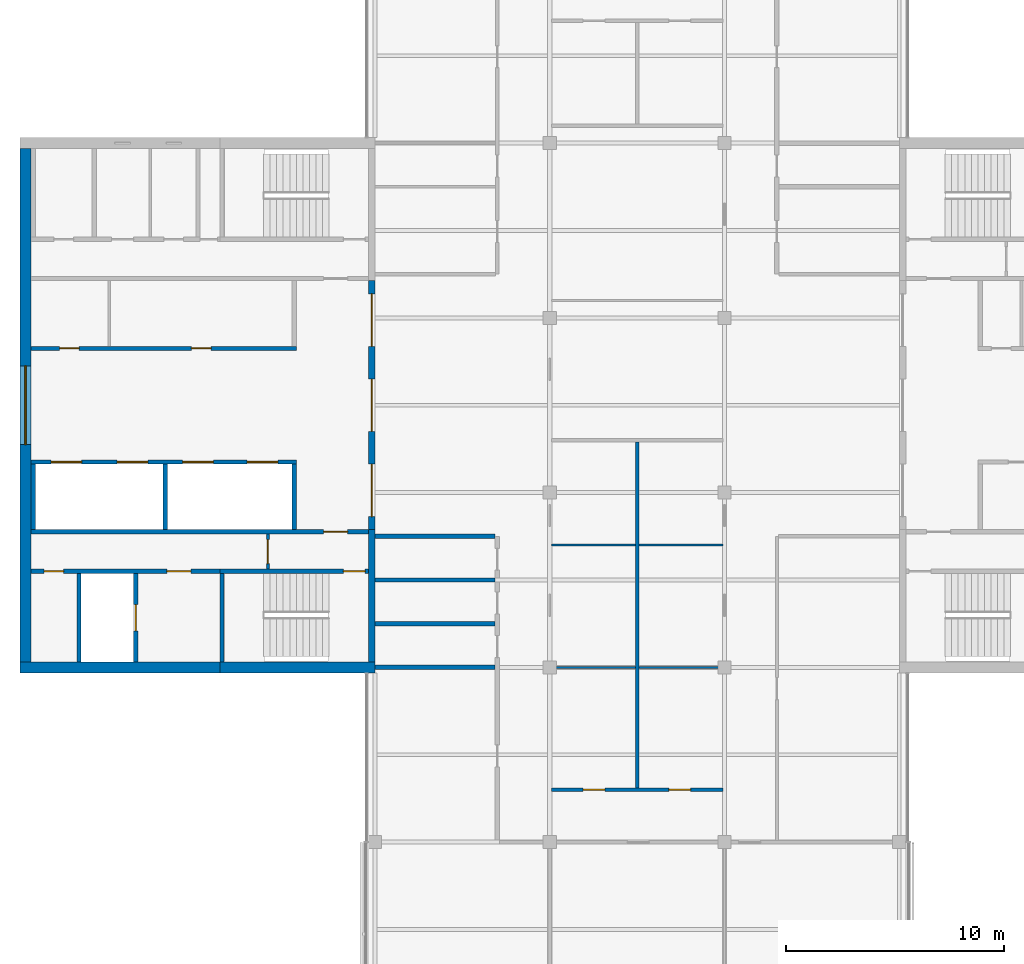
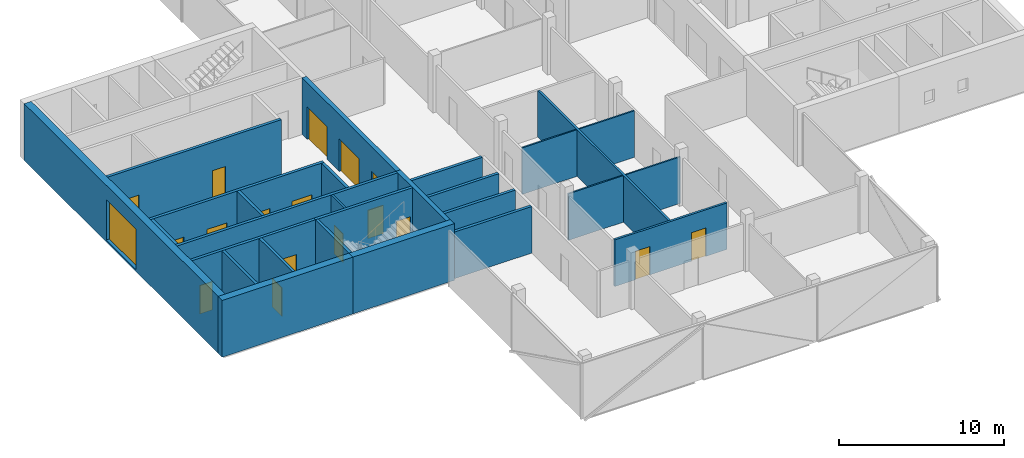
# One storey, part 9 of 16: 27 walls, 17 doors, 1 window, 18 openings.
"""IFC4 building model written with IfcOpenShell, lengths in metres."""

from ifc_helpers import new_model, si_unit, direction, frame, frame_2d, origin, place, context, subcontext, project, spatial, rectangle, extrude, material, layer, layer_set, constituent, constituent_set, type_object, element, fill, save


model = new_model("IFC4")

# Units and contexts
model_context = context("Model", 3, precision=1e-05, world=origin(), true_north=direction((0.0, 1.0)))
body_context = subcontext(model_context, "Body", "Model", "MODEL_VIEW")
ifc_project = project(units=[si_unit("LENGTHUNIT", "METRE"), si_unit("AREAUNIT", "SQUARE_METRE"), si_unit("VOLUMEUNIT", "CUBIC_METRE"), si_unit("PLANEANGLEUNIT", "RADIAN"), si_unit("MASSUNIT", "GRAM", prefix="KILO")], contexts=[model_context])

# Site, building, storey
site_placement = place(None, origin())
site = spatial("IfcSite", under=ifc_project, at=site_placement, CompositionType="ELEMENT")
building_placement = place(site_placement, origin())
building = spatial("IfcBuilding", under=site, at=building_placement, Name="Crosswind Convention Tower", CompositionType="ELEMENT")
storey_placement = place(building_placement, frame((0.0, 0.0, 336.5)))
storey = spatial("IfcBuildingStorey", under=building, at=storey_placement, Name="L73", CompositionType="ELEMENT", Elevation=336.5)

# Walls
ifc_material_1 = material(Name="Concrete blockwork", Category="masonry")
ifc_layer_1 = layer(ifc_material_1, 0.199951171875)
ifc_layer_set_1 = layer_set([ifc_layer_1], Name="COMPARTMENT WALL 200 BLOCKWORK")
wall_type_1 = type_object("IfcWallType", Name="COMPARTMENT WALL 200 BLOCKWORK", PredefinedType="SOLIDWALL", material=ifc_layer_set_1)
for number, where, z_axis, x_axis, name in (
    (1, (113.0, 88.0, 0.0), (0.0, 0.0, 1.0), (1.0, 0.0, 0.0), "Compartment wall WT42"),
    (2, (113.0, 90.0, 0.0), (0.0, 0.0, 1.0), (1.0, 0.0, 0.0), "Compartment wall WT42"),
    (3, (113.0, 92.0, 0.0), (0.0, 0.0, 1.0), (1.0, 0.0, 0.0), "Compartment wall WT42"),
    (4, (113.0, 94.0, 0.0), (0.0, 0.0, 1.0), (1.0, 0.0, 0.0), "Compartment wall WT42"),
):
    element("IfcWall", number, at=place(storey_placement, frame(where, z_axis=z_axis, x_axis=x_axis)), inside=storey, type_object=wall_type_1, Name=name, PredefinedType="SOLIDWALL", context=body_context, shape_type="SweptSolid", body=[
        extrude(rectangle(XDim=5.5, YDim=0.199951171875, at=frame_2d((2.75, 0.0))), origin(), (0.0, 0.0, 1.0), 3.44287109375),
    ])

# Wall, openings, doors
ifc_material_2 = material(Name="Concrete C50/60", Category="concrete")
ifc_layer_2 = layer(ifc_material_2, 0.300048828125)
ifc_layer_set_2 = layer_set([ifc_layer_2], Name="Concrete C50/60")
wall_type_2 = type_object("IfcWallType", Name="Concrete inner core wall 300", PredefinedType="SHEAR", material=ifc_layer_set_2)
wall_1_placement = place(storey_placement, frame((112.85009765625, 105.699951171875, 0.0), z_axis=(0.0, 0.0, 1.0), x_axis=(0.0, -1.0, 0.0)))
wall_1 = element("IfcWall", 5, at=wall_1_placement, inside=storey, type_object=wall_type_2, Name="Wall SCR W L73", PredefinedType="SHEAR", context=body_context, shape_type="SweptSolid", body=[
    extrude(rectangle(XDim=11.39990234375, YDim=0.300048828125, at=frame_2d((5.699951171875, 0.0))), origin(), (0.0, 0.0, 1.0), 4.199951171875),
])
opening_1_placement = place(wall_1_placement, frame((0.60009765625, 0.0, 0.0)))
opening_1 = element("IfcOpeningElement", 6, at=opening_1_placement, cuts=wall_1, Name="Opening D100", PredefinedType="OPENING", context=body_context, shape_type="SweptSolid", body=[
    extrude(rectangle(XDim=2.39990234375, YDim=2.39990234375, at=frame_2d((1.199951171875, 1.199951171875))), frame((0.0, 0.159912109375, 0.0), z_axis=(0.0, -1.0, 0.0), x_axis=(1.0, 0.0, 0.0)), (0.0, 0.0, 1.0), 0.320068359375),
])
opening_2_placement = place(wall_1_placement, frame((4.5, 0.0, 0.0)))
opening_2 = element("IfcOpeningElement", 7, at=opening_2_placement, cuts=wall_1, Name="Opening D100", PredefinedType="OPENING", context=body_context, shape_type="SweptSolid", body=[
    extrude(rectangle(XDim=2.39990234375, YDim=2.39990234375, at=frame_2d((1.199951171875, 1.199951171875))), frame((0.0, 0.159912109375, 0.0), z_axis=(0.0, -1.0, 0.0), x_axis=(1.0, 0.0, 0.0)), (0.0, 0.0, 1.0), 0.320068359375),
])
opening_3_placement = place(wall_1_placement, frame((8.39990234375, 0.0, 0.0)))
opening_3 = element("IfcOpeningElement", 8, at=opening_3_placement, cuts=wall_1, Name="Opening D100", PredefinedType="OPENING", context=body_context, shape_type="SweptSolid", body=[
    extrude(rectangle(XDim=2.39990234375, YDim=2.39990234375, at=frame_2d((1.199951171875, 1.199951171875))), frame((0.0, 0.159912109375, 0.0), z_axis=(0.0, -1.0, 0.0), x_axis=(1.0, 0.0, 0.0)), (0.0, 0.0, 1.0), 0.320068359375),
])
ifc_material_3 = material(Name="Steel fire door with glazed vision panels", Category="steel")
door_type_1 = type_object("IfcDoorType", Name="Fire-rated double door 2400x2400", OperationType="DOUBLE_DOOR_SINGLE_SWING", PredefinedType="DOOR", material=ifc_material_3)
door_1_placement = place(opening_1_placement, origin())
door_1 = element("IfcDoor", 9, at=door_1_placement, inside=storey, type_object=door_type_1, Name="Lobby door 1 L73", ObjectType="D100", OperationType="DOUBLE_DOOR_SINGLE_SWING", OverallHeight=2.39990234375, OverallWidth=2.39990234375, PredefinedType="DOOR", context=body_context, shape_type="SweptSolid", body=[
    extrude(rectangle(XDim=2.39990234375, YDim=2.39990234375, at=frame_2d((1.199951171875, 1.199951171875))), frame((0.0, 0.02490234375, 0.0), z_axis=(0.0, -1.0, 0.0), x_axis=(1.0, 0.0, 0.0)), (0.0, 0.0, 1.0), 0.050048828125),
])
fill(opening_1, door_1)
door_2_placement = place(opening_2_placement, origin())
door_2 = element("IfcDoor", 10, at=door_2_placement, inside=storey, type_object=door_type_1, Name="Lobby door 2 L73", ObjectType="D100", OperationType="DOUBLE_DOOR_SINGLE_SWING", OverallHeight=2.39990234375, OverallWidth=2.39990234375, PredefinedType="DOOR", context=body_context, shape_type="SweptSolid", body=[
    extrude(rectangle(XDim=2.39990234375, YDim=2.39990234375, at=frame_2d((1.199951171875, 1.199951171875))), frame((0.0, 0.02490234375, 0.0), z_axis=(0.0, -1.0, 0.0), x_axis=(1.0, 0.0, 0.0)), (0.0, 0.0, 1.0), 0.050048828125),
])
fill(opening_2, door_2)
door_3_placement = place(opening_3_placement, origin())
door_3 = element("IfcDoor", 11, at=door_3_placement, inside=storey, type_object=door_type_1, Name="Lobby door 3 L73", ObjectType="D100", OperationType="DOUBLE_DOOR_SINGLE_SWING", OverallHeight=2.39990234375, OverallWidth=2.39990234375, PredefinedType="DOOR", context=body_context, shape_type="SweptSolid", body=[
    extrude(rectangle(XDim=2.39990234375, YDim=2.39990234375, at=frame_2d((1.199951171875, 1.199951171875))), frame((0.0, 0.02490234375, 0.0), z_axis=(0.0, -1.0, 0.0), x_axis=(1.0, 0.0, 0.0)), (0.0, 0.0, 1.0), 0.050048828125),
])
fill(opening_3, door_3)

# Walls
wall_2_placement = place(storey_placement, frame((112.85009765625, 94.300048828125, 0.0), z_axis=(0.0, 0.0, 1.0), x_axis=(0.0, -1.0, 0.0)))
element("IfcWall", 12, at=wall_2_placement, inside=storey, type_object=wall_type_2, Name="Wall EP W L73", PredefinedType="SHEAR", context=body_context, shape_type="SweptSolid", body=[
    extrude(rectangle(XDim=6.050048828125, YDim=0.300048828125, at=frame_2d((3.02490234375, 0.0))), origin(), (0.0, 0.0, 1.0), 4.199951171875),
])
ifc_layer_3 = layer(ifc_material_2, 0.199951171875)
ifc_layer_set_3 = layer_set([ifc_layer_3], Name="Concrete C50/60")
wall_type_3 = type_object("IfcWallType", Name="Concrete shaft and stair wall 200", PredefinedType="SHEAR", material=ifc_layer_set_3)
for number, where, z_axis, x_axis, name in (
    (13, (109.300048828125, 97.300048828125, 0.0), (0.0, 0.0, 1.0), (0.0, -1.0, 0.0), "Wall RPEND W L73"),
    (14, (103.39990234375, 97.300048828125, 0.0), (0.0, 0.0, 1.0), (0.0, -1.0, 0.0), "Wall RPSEP W L73"),
    (15, (97.35009765625, 97.300048828125, 0.0), (0.0, 0.0, 1.0), (0.0, -1.0, 0.0), "Wall RPEAST W L73"),
):
    element("IfcWall", number, at=place(storey_placement, frame(where, z_axis=z_axis, x_axis=x_axis)), inside=storey, type_object=wall_type_3, Name=name, PredefinedType="SHEAR", context=body_context, shape_type="SweptSolid", body=[
        extrude(rectangle(XDim=3.0, YDim=0.199951171875, at=frame_2d((1.5, 0.0))), origin(), (0.0, 0.0, 1.0), 4.199951171875),
    ])

# Wall, openings, doors
wall_3_placement = place(storey_placement, frame((109.39990234375, 97.39990234375, 0.0), z_axis=(0.0, 0.0, 1.0), x_axis=(-1.0, 0.0, 0.0)))
wall_3 = element("IfcWall", 16, at=wall_3_placement, inside=storey, type_object=wall_type_3, Name="Wall RPFRONT W L73", PredefinedType="SHEAR", context=body_context, shape_type="SweptSolid", body=[
    extrude(rectangle(XDim=12.14990234375, YDim=0.199951171875, at=frame_2d((6.074951171875, 0.0))), origin(), (0.0, 0.0, 1.0), 4.199951171875),
])
opening_4_placement = place(wall_3_placement, frame((0.85009765625, 0.0, 0.0)))
opening_4 = element("IfcOpeningElement", 17, at=opening_4_placement, cuts=wall_3, Name="Opening LD2", PredefinedType="OPENING", context=body_context, shape_type="SweptSolid", body=[
    extrude(rectangle(XDim=1.39990234375, YDim=2.10009765625, at=frame_2d((0.699951171875, 1.050048828125))), frame((0.0, 0.10986328125, 0.0), z_axis=(0.0, -1.0, 0.0), x_axis=(1.0, 0.0, 0.0)), (0.0, 0.0, 1.0), 0.219970703125),
])
opening_5_placement = place(wall_3_placement, frame((3.800048828125, 0.0, 0.0)))
opening_5 = element("IfcOpeningElement", 18, at=opening_5_placement, cuts=wall_3, Name="Opening LD2", PredefinedType="OPENING", context=body_context, shape_type="SweptSolid", body=[
    extrude(rectangle(XDim=1.39990234375, YDim=2.10009765625, at=frame_2d((0.699951171875, 1.050048828125))), frame((0.0, 0.10986328125, 0.0), z_axis=(0.0, -1.0, 0.0), x_axis=(1.0, 0.0, 0.0)), (0.0, 0.0, 1.0), 0.219970703125),
])
opening_6_placement = place(wall_3_placement, frame((6.800048828125, 0.0, 0.0)))
opening_6 = element("IfcOpeningElement", 19, at=opening_6_placement, cuts=wall_3, Name="Opening LD2", PredefinedType="OPENING", context=body_context, shape_type="SweptSolid", body=[
    extrude(rectangle(XDim=1.39990234375, YDim=2.10009765625, at=frame_2d((0.699951171875, 1.050048828125))), frame((0.0, 0.10986328125, 0.0), z_axis=(0.0, -1.0, 0.0), x_axis=(1.0, 0.0, 0.0)), (0.0, 0.0, 1.0), 0.219970703125),
])
opening_7_placement = place(wall_3_placement, frame((9.824951171875, 0.0, 0.0)))
opening_7 = element("IfcOpeningElement", 20, at=opening_7_placement, cuts=wall_3, Name="Opening LD2", PredefinedType="OPENING", context=body_context, shape_type="SweptSolid", body=[
    extrude(rectangle(XDim=1.39990234375, YDim=2.10009765625, at=frame_2d((0.699951171875, 1.050048828125))), frame((0.0, 0.10986328125, 0.0), z_axis=(0.0, -1.0, 0.0), x_axis=(1.0, 0.0, 0.0)), (0.0, 0.0, 1.0), 0.219970703125),
])
ifc_material_4 = material(Name="Stainless steel", Category="steel")
door_type_2 = type_object("IfcDoorType", Name="Lift landing door 1400x2100", OperationType="DOUBLE_DOOR_SLIDING", PredefinedType="DOOR", material=ifc_material_4)
door_4_placement = place(opening_4_placement, origin())
door_4 = element("IfcDoor", 21, at=door_4_placement, inside=storey, type_object=door_type_2, Name="Landing door HR1 L73", ObjectType="LD2", OperationType="DOUBLE_DOOR_SLIDING", OverallHeight=2.10009765625, OverallWidth=1.39990234375, PredefinedType="DOOR", context=body_context, shape_type="SweptSolid", body=[
    extrude(rectangle(XDim=1.39990234375, YDim=2.10009765625, at=frame_2d((0.699951171875, 1.050048828125))), frame((0.0, 0.02490234375, 0.0), z_axis=(0.0, -1.0, 0.0), x_axis=(1.0, 0.0, 0.0)), (0.0, 0.0, 1.0), 0.050048828125),
])
fill(opening_4, door_4)
door_5_placement = place(opening_5_placement, origin())
door_5 = element("IfcDoor", 22, at=door_5_placement, inside=storey, type_object=door_type_2, Name="Landing door HR2 L73", ObjectType="LD2", OperationType="DOUBLE_DOOR_SLIDING", OverallHeight=2.10009765625, OverallWidth=1.39990234375, PredefinedType="DOOR", context=body_context, shape_type="SweptSolid", body=[
    extrude(rectangle(XDim=1.39990234375, YDim=2.10009765625, at=frame_2d((0.699951171875, 1.050048828125))), frame((0.0, 0.02490234375, 0.0), z_axis=(0.0, -1.0, 0.0), x_axis=(1.0, 0.0, 0.0)), (0.0, 0.0, 1.0), 0.050048828125),
])
fill(opening_5, door_5)
door_6_placement = place(opening_6_placement, origin())
door_6 = element("IfcDoor", 23, at=door_6_placement, inside=storey, type_object=door_type_2, Name="Landing door HR3 L73", ObjectType="LD2", OperationType="DOUBLE_DOOR_SLIDING", OverallHeight=2.10009765625, OverallWidth=1.39990234375, PredefinedType="DOOR", context=body_context, shape_type="SweptSolid", body=[
    extrude(rectangle(XDim=1.39990234375, YDim=2.10009765625, at=frame_2d((0.699951171875, 1.050048828125))), frame((0.0, 0.02490234375, 0.0), z_axis=(0.0, -1.0, 0.0), x_axis=(1.0, 0.0, 0.0)), (0.0, 0.0, 1.0), 0.050048828125),
])
fill(opening_6, door_6)
door_7_placement = place(opening_7_placement, origin())
door_7 = element("IfcDoor", 24, at=door_7_placement, inside=storey, type_object=door_type_2, Name="Landing door HR4 L73", ObjectType="LD2", OperationType="DOUBLE_DOOR_SLIDING", OverallHeight=2.10009765625, OverallWidth=1.39990234375, PredefinedType="DOOR", context=body_context, shape_type="SweptSolid", body=[
    extrude(rectangle(XDim=1.39990234375, YDim=2.10009765625, at=frame_2d((0.699951171875, 1.050048828125))), frame((0.0, 0.02490234375, 0.0), z_axis=(0.0, -1.0, 0.0), x_axis=(1.0, 0.0, 0.0)), (0.0, 0.0, 1.0), 0.050048828125),
])
fill(opening_7, door_7)

wall_4_placement = place(storey_placement, frame((109.39990234375, 102.60009765625, 0.0), z_axis=(0.0, 0.0, 1.0), x_axis=(-1.0, 0.0, 0.0)))
wall_4 = element("IfcWall", 25, at=wall_4_placement, inside=storey, type_object=wall_type_3, Name="Wall RMFRONT W L73", PredefinedType="SHEAR", context=body_context, shape_type="SweptSolid", body=[
    extrude(rectangle(XDim=12.14990234375, YDim=0.199951171875, at=frame_2d((6.074951171875, 0.0))), origin(), (0.0, 0.0, 1.0), 4.199951171875),
])
opening_8_placement = place(wall_4_placement, frame((3.9013671875, 0.0, 0.0)))
opening_8 = element("IfcOpeningElement", 26, at=opening_8_placement, cuts=wall_4, Name="Opening D106", PredefinedType="OPENING", context=body_context, shape_type="SweptSolid", body=[
    extrude(rectangle(XDim=0.89990234375, YDim=2.10009765625, at=frame_2d((0.449951171875, 1.050048828125))), frame((0.0, 0.10986328125, 0.0), z_axis=(0.0, -1.0, 0.0), x_axis=(1.0, 0.0, 0.0)), (0.0, 0.0, 1.0), 0.219970703125),
])
opening_9_placement = place(wall_4_placement, frame((9.938720703125, 0.0, 0.0)))
opening_9 = element("IfcOpeningElement", 27, at=opening_9_placement, cuts=wall_4, Name="Opening D106", PredefinedType="OPENING", context=body_context, shape_type="SweptSolid", body=[
    extrude(rectangle(XDim=0.89990234375, YDim=2.10009765625, at=frame_2d((0.449951171875, 1.050048828125))), frame((0.0, 0.10986328125, 0.0), z_axis=(0.0, -1.0, 0.0), x_axis=(1.0, 0.0, 0.0)), (0.0, 0.0, 1.0), 0.219970703125),
])
ifc_material_5 = material(Name="Timber door", Category="wood")
door_type_3 = type_object("IfcDoorType", Name="Single leaf door 900x2100", OperationType="NOTDEFINED", PredefinedType="DOOR", material=ifc_material_5)
door_8_placement = place(opening_8_placement, frame((0.89990234375, 0.0, 0.0), z_axis=(0.0, 0.0, 1.0), x_axis=(-1.0, 0.0, 0.0)))
door_8 = element("IfcDoor", 28, at=door_8_placement, inside=storey, type_object=door_type_3, Name="Door to pantry L73", ObjectType="D106", OperationType="SINGLE_SWING_LEFT", OverallHeight=2.10009765625, OverallWidth=0.89990234375, PredefinedType="DOOR", context=body_context, shape_type="SweptSolid", body=[
    extrude(rectangle(XDim=0.89990234375, YDim=2.10009765625, at=frame_2d((0.449951171875, 1.050048828125))), frame((0.0, 0.02490234375, 0.0), z_axis=(0.0, -1.0, 0.0), x_axis=(1.0, 0.0, 0.0)), (0.0, 0.0, 1.0), 0.050048828125),
])
fill(opening_8, door_8)
door_9_placement = place(opening_9_placement, frame((0.89990234375, 0.0, 0.0), z_axis=(0.0, 0.0, 1.0), x_axis=(-1.0, 0.0, 0.0)))
door_9 = element("IfcDoor", 29, at=door_9_placement, inside=storey, type_object=door_type_3, Name="Door to telecoms room L73", ObjectType="D106", OperationType="SINGLE_SWING_LEFT", OverallHeight=2.10009765625, OverallWidth=0.89990234375, PredefinedType="DOOR", context=body_context, shape_type="SweptSolid", body=[
    extrude(rectangle(XDim=0.89990234375, YDim=2.10009765625, at=frame_2d((0.449951171875, 1.050048828125))), frame((0.0, 0.02490234375, 0.0), z_axis=(0.0, -1.0, 0.0), x_axis=(1.0, 0.0, 0.0)), (0.0, 0.0, 1.0), 0.050048828125),
])
fill(opening_9, door_9)

# Wall, opening, door
wall_5_placement = place(storey_placement, frame((112.699951171875, 94.199951171875, 0.0), z_axis=(0.0, 0.0, 1.0), x_axis=(-1.0, 0.0, 0.0)))
wall_5 = element("IfcWall", 30, at=wall_5_placement, inside=storey, type_object=wall_type_3, Name="Wall HP W L73", PredefinedType="SHEAR", context=body_context, shape_type="SweptSolid", body=[
    extrude(rectangle(XDim=15.449951171875, YDim=0.199951171875, at=frame_2d((7.72509765625, 0.0))), origin(), (0.0, 0.0, 1.0), 4.199951171875),
])
opening_10_placement = place(wall_5_placement, frame((0.949951171875, 0.0, 0.0)))
opening_10 = element("IfcOpeningElement", 31, at=opening_10_placement, cuts=wall_5, Name="Opening D104", PredefinedType="OPENING", context=body_context, shape_type="SweptSolid", body=[
    extrude(rectangle(XDim=1.10009765625, YDim=2.10009765625, at=frame_2d((0.550048828125, 1.050048828125))), frame((0.0, 0.10986328125, 0.0), z_axis=(0.0, -1.0, 0.0), x_axis=(1.0, 0.0, 0.0)), (0.0, 0.0, 1.0), 0.219970703125),
])
ifc_material_6 = material(Name="Steel fire door", Category="steel")
door_type_4 = type_object("IfcDoorType", Name="Fire-rated single door 1100x2100", OperationType="NOTDEFINED", PredefinedType="DOOR", material=ifc_material_6)
door_10_placement = place(opening_10_placement, origin())
door_10 = element("IfcDoor", 32, at=door_10_placement, inside=storey, type_object=door_type_4, Name="Corridor door L73", ObjectType="D104", OperationType="SINGLE_SWING_LEFT", OverallHeight=2.10009765625, OverallWidth=1.10009765625, PredefinedType="DOOR", context=body_context, shape_type="SweptSolid", body=[
    extrude(rectangle(XDim=1.10009765625, YDim=2.10009765625, at=frame_2d((0.550048828125, 1.050048828125))), frame((0.0, 0.02490234375, 0.0), z_axis=(0.0, -1.0, 0.0), x_axis=(1.0, 0.0, 0.0)), (0.0, 0.0, 1.0), 0.050048828125),
])
fill(opening_10, door_10)

# Wall
wall_6_placement = place(storey_placement, frame((106.0, 92.300048828125, 0.0), z_axis=(0.0, 0.0, 1.0), x_axis=(0.0, -1.0, 0.0)))
element("IfcWall", 33, at=wall_6_placement, inside=storey, type_object=wall_type_3, Name="Wall PSE W L73", PredefinedType="SHEAR", context=body_context, shape_type="SweptSolid", body=[
    extrude(rectangle(XDim=4.050048828125, YDim=0.199951171875, at=frame_2d((2.02490234375, 0.0))), origin(), (0.0, 0.0, 1.0), 4.199951171875),
])

# Wall, opening, door
wall_7_placement = place(storey_placement, frame((102.050048828125, 92.300048828125, 0.0), z_axis=(0.0, 0.0, 1.0), x_axis=(0.0, -1.0, 0.0)))
wall_7 = element("IfcWall", 34, at=wall_7_placement, inside=storey, type_object=wall_type_3, Name="Wall PFLW W L73", PredefinedType="SHEAR", context=body_context, shape_type="SweptSolid", body=[
    extrude(rectangle(XDim=4.050048828125, YDim=0.199951171875, at=frame_2d((2.02490234375, 0.0))), origin(), (0.0, 0.0, 1.0), 4.199951171875),
])
opening_11_placement = place(wall_7_placement, frame((1.425048828125, 0.0, 0.0)))
opening_11 = element("IfcOpeningElement", 35, at=opening_11_placement, cuts=wall_7, Name="Opening LD1", PredefinedType="OPENING", context=body_context, shape_type="SweptSolid", body=[
    extrude(rectangle(XDim=1.199951171875, YDim=2.10009765625, at=frame_2d((0.60009765625, 1.050048828125))), frame((0.0, 0.10986328125, 0.0), z_axis=(0.0, -1.0, 0.0), x_axis=(1.0, 0.0, 0.0)), (0.0, 0.0, 1.0), 0.219970703125),
])
door_type_5 = type_object("IfcDoorType", Name="Lift landing door 1200x2100", OperationType="DOUBLE_DOOR_SLIDING", PredefinedType="DOOR", material=ifc_material_4)
door_11_placement = place(opening_11_placement, origin())
door_11 = element("IfcDoor", 36, at=door_11_placement, inside=storey, type_object=door_type_5, Name="Landing door FF2 L73", ObjectType="LD1", OperationType="DOUBLE_DOOR_SLIDING", OverallHeight=2.10009765625, OverallWidth=1.199951171875, PredefinedType="DOOR", context=body_context, shape_type="SweptSolid", body=[
    extrude(rectangle(XDim=1.199951171875, YDim=2.10009765625, at=frame_2d((0.60009765625, 1.050048828125))), frame((0.0, 0.02490234375, 0.0), z_axis=(0.0, -1.0, 0.0), x_axis=(1.0, 0.0, 0.0)), (0.0, 0.0, 1.0), 0.050048828125),
])
fill(opening_11, door_11)

# Wall
wall_8_placement = place(storey_placement, frame((99.449951171875, 92.300048828125, 0.0), z_axis=(0.0, 0.0, 1.0), x_axis=(0.0, -1.0, 0.0)))
element("IfcWall", 37, at=wall_8_placement, inside=storey, type_object=wall_type_3, Name="Wall PFSE W L73", PredefinedType="SHEAR", context=body_context, shape_type="SweptSolid", body=[
    extrude(rectangle(XDim=4.050048828125, YDim=0.199951171875, at=frame_2d((2.02490234375, 0.0))), origin(), (0.0, 0.0, 1.0), 4.199951171875),
])

# Wall, opening, door
wall_9_placement = place(storey_placement, frame((112.699951171875, 92.39990234375, 0.0), z_axis=(0.0, 0.0, 1.0), x_axis=(-1.0, 0.0, 0.0)))
wall_9 = element("IfcWall", 38, at=wall_9_placement, inside=storey, type_object=wall_type_3, Name="Wall PCW W L73", PredefinedType="SHEAR", context=body_context, shape_type="SweptSolid", body=[
    extrude(rectangle(XDim=6.800048828125, YDim=0.199951171875, at=frame_2d((3.39990234375, 0.0))), origin(), (0.0, 0.0, 1.0), 4.199951171875),
])
opening_12_placement = place(wall_9_placement, frame((0.14990234375, 0.0, 0.0)))
opening_12 = element("IfcOpeningElement", 39, at=opening_12_placement, cuts=wall_9, Name="Opening D103", PredefinedType="OPENING", context=body_context, shape_type="SweptSolid", body=[
    extrude(rectangle(XDim=1.0, YDim=2.10009765625, at=frame_2d((0.5, 1.050048828125))), frame((0.0, 0.10986328125, 0.0), z_axis=(0.0, -1.0, 0.0), x_axis=(1.0, 0.0, 0.0)), (0.0, 0.0, 1.0), 0.219970703125),
])
door_type_6 = type_object("IfcDoorType", Name="Fire-rated single door 1000x2100", OperationType="NOTDEFINED", PredefinedType="DOOR", material=ifc_material_6)
door_12_placement = place(opening_12_placement, origin())
door_12 = element("IfcDoor", 40, at=door_12_placement, inside=storey, type_object=door_type_6, Name="Stair ST3 door L73", ObjectType="D103", OperationType="SINGLE_SWING_LEFT", OverallHeight=2.10009765625, OverallWidth=1.0, PredefinedType="DOOR", context=body_context, shape_type="SweptSolid", body=[
    extrude(rectangle(XDim=1.0, YDim=2.10009765625, at=frame_2d((0.5, 1.050048828125))), frame((0.0, 0.02490234375, 0.0), z_axis=(0.0, -1.0, 0.0), x_axis=(1.0, 0.0, 0.0)), (0.0, 0.0, 1.0), 0.050048828125),
])
fill(opening_12, door_12)

# Wall, openings, doors
wall_10_placement = place(storey_placement, frame((105.89990234375, 92.39990234375, 0.0), z_axis=(0.0, 0.0, 1.0), x_axis=(-1.0, 0.0, 0.0)))
wall_10 = element("IfcWall", 41, at=wall_10_placement, inside=storey, type_object=wall_type_3, Name="Wall PCX W L73", PredefinedType="SHEAR", context=body_context, shape_type="SweptSolid", body=[
    extrude(rectangle(XDim=8.64990234375, YDim=0.199951171875, at=frame_2d((4.324951171875, 0.0))), origin(), (0.0, 0.0, 1.0), 4.199951171875),
])
opening_13_placement = place(wall_10_placement, frame((1.324951171875, 0.0, 0.0)))
opening_13 = element("IfcOpeningElement", 42, at=opening_13_placement, cuts=wall_10, Name="Opening D104", PredefinedType="OPENING", context=body_context, shape_type="SweptSolid", body=[
    extrude(rectangle(XDim=1.10009765625, YDim=2.10009765625, at=frame_2d((0.550048828125, 1.050048828125))), frame((0.0, 0.10986328125, 0.0), z_axis=(0.0, -1.0, 0.0), x_axis=(1.0, 0.0, 0.0)), (0.0, 0.0, 1.0), 0.219970703125),
])
opening_14_placement = place(wall_10_placement, frame((7.14990234375, 0.0, 0.0)))
opening_14 = element("IfcOpeningElement", 43, at=opening_14_placement, cuts=wall_10, Name="Opening D106", PredefinedType="OPENING", context=body_context, shape_type="SweptSolid", body=[
    extrude(rectangle(XDim=0.89990234375, YDim=2.10009765625, at=frame_2d((0.449951171875, 1.050048828125))), frame((0.0, 0.10986328125, 0.0), z_axis=(0.0, -1.0, 0.0), x_axis=(1.0, 0.0, 0.0)), (0.0, 0.0, 1.0), 0.219970703125),
])
door_13_placement = place(opening_13_placement, origin())
door_13 = element("IfcDoor", 44, at=door_13_placement, inside=storey, type_object=door_type_4, Name="Fire-fighting lobby FF2 door L73", ObjectType="D104", OperationType="SINGLE_SWING_RIGHT", OverallHeight=2.10009765625, OverallWidth=1.10009765625, PredefinedType="DOOR", context=body_context, shape_type="SweptSolid", body=[
    extrude(rectangle(XDim=1.10009765625, YDim=2.10009765625, at=frame_2d((0.550048828125, 1.050048828125))), frame((0.0, 0.02490234375, 0.0), z_axis=(0.0, -1.0, 0.0), x_axis=(1.0, 0.0, 0.0)), (0.0, 0.0, 1.0), 0.050048828125),
])
fill(opening_13, door_13)
door_14_placement = place(opening_14_placement, origin())
door_14 = element("IfcDoor", 45, at=door_14_placement, inside=storey, type_object=door_type_3, Name="Door to cleaners' store L73", ObjectType="D106", OperationType="SINGLE_SWING_RIGHT", OverallHeight=2.10009765625, OverallWidth=0.89990234375, PredefinedType="DOOR", context=body_context, shape_type="SweptSolid", body=[
    extrude(rectangle(XDim=0.89990234375, YDim=2.10009765625, at=frame_2d((0.449951171875, 1.050048828125))), frame((0.0, 0.02490234375, 0.0), z_axis=(0.0, -1.0, 0.0), x_axis=(1.0, 0.0, 0.0)), (0.0, 0.0, 1.0), 0.050048828125),
])
fill(opening_14, door_14)

# Wall, opening, door
ifc_material_7 = material(Name="Gypsum plasterboard partition", Category="gypsum")
ifc_layer_4 = layer(ifc_material_7, 0.125)
ifc_layer_set_4 = layer_set([ifc_layer_4], Name="Drywall partition wall 125")
wall_type_4 = type_object("IfcWallType", Name="Drywall partition wall 125", PredefinedType="PARTITIONING", material=ifc_layer_set_4)
wall_11_placement = place(storey_placement, frame((108.10009765625, 94.10009765625, 0.0), z_axis=(0.0, 0.0, 1.0), x_axis=(0.0, -1.0, 0.0)))
wall_11 = element("IfcWall", 46, at=wall_11_placement, inside=storey, type_object=wall_type_4, Name="Wall PXC1 W L73", PredefinedType="PARTITIONING", context=body_context, shape_type="SweptSolid", body=[
    extrude(rectangle(XDim=1.60009765625, YDim=0.125, at=frame_2d((0.800048828125, 0.0))), origin(), (0.0, 0.0, 1.0), 4.199951171875),
])
opening_15_placement = place(wall_11_placement, frame((0.25, 0.0, 0.0)))
opening_15 = element("IfcOpeningElement", 47, at=opening_15_placement, cuts=wall_11, Name="Opening D104", PredefinedType="OPENING", context=body_context, shape_type="SweptSolid", body=[
    extrude(rectangle(XDim=1.10009765625, YDim=2.10009765625, at=frame_2d((0.550048828125, 1.050048828125))), frame((0.0, 0.072509765625, 0.0), z_axis=(0.0, -1.0, 0.0), x_axis=(1.0, 0.0, 0.0)), (0.0, 0.0, 1.0), 0.14501953125),
])
door_15_placement = place(opening_15_placement, origin())
door_15 = element("IfcDoor", 48, at=door_15_placement, inside=storey, type_object=door_type_4, Name="Corridor smoke door L73", ObjectType="D104", OperationType="SINGLE_SWING_RIGHT", OverallHeight=2.10009765625, OverallWidth=1.10009765625, PredefinedType="DOOR", context=body_context, shape_type="SweptSolid", body=[
    extrude(rectangle(XDim=1.10009765625, YDim=2.10009765625, at=frame_2d((0.550048828125, 1.050048828125))), frame((0.0, 0.02490234375, 0.0), z_axis=(0.0, -1.0, 0.0), x_axis=(1.0, 0.0, 0.0)), (0.0, 0.0, 1.0), 0.050048828125),
])
fill(opening_15, door_15)

# Walls
ifc_material_8 = material(Name="Plasterboard partition", Category="gypsum")
ifc_layer_5 = layer(ifc_material_8, 0.10009765625)
ifc_layer_set_5 = layer_set([ifc_layer_5], Name="PARTITION 100 METAL STUD")
wall_type_5 = type_object("IfcWallType", Name="PARTITION 100 METAL STUD", PredefinedType="PARTITIONING", material=ifc_layer_set_5)
for number, where, z_axis, x_axis, name in (
    (49, (121.074951171875, 88.0, 0.0), (0.0, 0.0, 1.0), (1.0, 0.0, 0.0), "Partition wall WT40"),
    (50, (125.074951171875, 88.0, 0.0), (0.0, 0.0, 1.0), (1.0, 0.0, 0.0), "Partition wall WT40"),
    (51, (121.074951171875, 93.60009765625, 0.0), (0.0, 0.0, 1.0), (1.0, 0.0, 0.0), "Partition wall WT40"),
    (52, (125.074951171875, 93.60009765625, 0.0), (0.0, 0.0, 1.0), (1.0, 0.0, 0.0), "Partition wall WT40"),
):
    element("IfcWall", number, at=place(storey_placement, frame(where, z_axis=z_axis, x_axis=x_axis)), inside=storey, type_object=wall_type_5, Name=name, PredefinedType="PARTITIONING", context=body_context, shape_type="SweptSolid", body=[
        extrude(rectangle(XDim=3.85009765625, YDim=0.10009765625, at=frame_2d((1.925048828125, 0.0))), origin(), (0.0, 0.0, 1.0), 3.44287109375),
    ])
ifc_material_9 = material(Name="Fire-board partition with mineral wool", Category="gypsum")
ifc_layer_6 = layer(ifc_material_9, 0.14990234375)
ifc_layer_set_6 = layer_set([ifc_layer_6], Name="TENANCY WALL 150 TWO-HOUR BOARD")
wall_type_6 = type_object("IfcWallType", Name="TENANCY WALL 150 TWO-HOUR BOARD", PredefinedType="PARTITIONING", material=ifc_layer_set_6)
wall_12_placement = place(storey_placement, frame((125.0, 82.47509765625, 0.0), z_axis=(0.0, 0.0, 1.0), x_axis=(0.0, 1.0, 0.0)))
element("IfcWall", 53, at=wall_12_placement, inside=storey, type_object=wall_type_6, Name="Tenancy wall WT41", PredefinedType="PARTITIONING", context=body_context, shape_type="SweptSolid", body=[
    extrude(rectangle(XDim=15.849853515625, YDim=0.14990234375, at=frame_2d((7.9248046875, 0.0))), origin(), (0.0, 0.0, 1.0), 3.44287109375),
])

# Wall, openings, doors
wall_13_placement = place(storey_placement, frame((121.074951171875, 82.39990234375, 0.0), z_axis=(0.0, 0.0, 1.0), x_axis=(1.0, 0.0, 0.0)))
wall_13 = element("IfcWall", 54, at=wall_13_placement, inside=storey, type_object=wall_type_6, Name="Tenancy wall WT41", PredefinedType="PARTITIONING", context=body_context, shape_type="SweptSolid", body=[
    extrude(rectangle(XDim=7.85009765625, YDim=0.14990234375, at=frame_2d((3.925048828125, 0.0))), origin(), (0.0, 0.0, 1.0), 3.44287109375),
])
opening_16_placement = place(wall_13_placement, frame((1.449951171875, 0.0, 0.0)))
opening_16 = element("IfcOpeningElement", 55, at=opening_16_placement, cuts=wall_13, Name="Opening L73-65", PredefinedType="OPENING", context=body_context, shape_type="SweptSolid", body=[
    extrude(rectangle(XDim=1.0, YDim=2.10009765625, at=frame_2d((0.5, 1.050048828125))), frame((0.0, 0.0849609375, 0.0), z_axis=(0.0, -1.0, 0.0), x_axis=(1.0, 0.0, 0.0)), (0.0, 0.0, 1.0), 0.169921875),
])
opening_17_placement = place(wall_13_placement, frame((5.375, 0.0, 0.0)))
opening_17 = element("IfcOpeningElement", 56, at=opening_17_placement, cuts=wall_13, Name="Opening L73-66", PredefinedType="OPENING", context=body_context, shape_type="SweptSolid", body=[
    extrude(rectangle(XDim=1.0, YDim=2.10009765625, at=frame_2d((0.5, 1.050048828125))), frame((0.0, 0.0849609375, 0.0), z_axis=(0.0, -1.0, 0.0), x_axis=(1.0, 0.0, 0.0)), (0.0, 0.0, 1.0), 0.169921875),
])
ifc_material_10 = material(Name="Timber fire door", Category="wood")
door_type_7 = type_object("IfcDoorType", Name="TENANCY ENTRANCE DOOR 1000X2100 FD30S", OperationType="NOTDEFINED", PredefinedType="DOOR", material=ifc_material_10)
door_16_placement = place(opening_16_placement, origin())
door_16 = element("IfcDoor", 57, at=door_16_placement, inside=storey, type_object=door_type_7, Name="Door L73-65", ObjectType="D41", OperationType="SINGLE_SWING_RIGHT", OverallHeight=2.10009765625, OverallWidth=1.0, PredefinedType="DOOR", context=body_context, shape_type="SweptSolid", body=[
    extrude(rectangle(XDim=1.0, YDim=2.10009765625, at=frame_2d((0.5, 1.050048828125))), frame((0.0, 0.02490234375, 0.0), z_axis=(0.0, -1.0, 0.0), x_axis=(1.0, 0.0, 0.0)), (0.0, 0.0, 1.0), 0.050048828125),
])
fill(opening_16, door_16)
door_17_placement = place(opening_17_placement, origin())
door_17 = element("IfcDoor", 58, at=door_17_placement, inside=storey, type_object=door_type_7, Name="Door L73-66", ObjectType="D41", OperationType="SINGLE_SWING_LEFT", OverallHeight=2.10009765625, OverallWidth=1.0, PredefinedType="DOOR", context=body_context, shape_type="SweptSolid", body=[
    extrude(rectangle(XDim=1.0, YDim=2.10009765625, at=frame_2d((0.5, 1.050048828125))), frame((0.0, 0.02490234375, 0.0), z_axis=(0.0, -1.0, 0.0), x_axis=(1.0, 0.0, 0.0)), (0.0, 0.0, 1.0), 0.050048828125),
])
fill(opening_17, door_17)

# Walls
ifc_material_11 = material(Name="Concrete C60/75", Category="concrete")
ifc_constituent_1 = constituent(ifc_material_11, Name="Structure")
ifc_material_12 = material(Name="Terracotta rainscreen", Category="ceramic")
ifc_constituent_2 = constituent(ifc_material_12, Name="Facing")
ifc_constituent_set = constituent_set(constituents=[ifc_constituent_1, ifc_constituent_2], Name="Concrete C60/75, Terracotta rainscreen")
wall_type_7 = type_object("IfcWallType", Name="Terracotta rainscreen on concrete core wall 500", PredefinedType="SHEAR", material=ifc_constituent_set)
wall_14_placement = place(storey_placement, frame((113.0, 88.0, 0.0), z_axis=(0.0, 0.0, 1.0), x_axis=(-1.0, 0.0, 0.0)))
element("IfcWall", 59, at=wall_14_placement, inside=storey, type_object=wall_type_7, Name="Wall N1 W L73", PredefinedType="SHEAR", context=body_context, shape_type="SweptSolid", body=[
    extrude(rectangle(XDim=7.10009765625, YDim=0.5, at=frame_2d((3.550048828125, 0.0))), origin(), (0.0, 0.0, 1.0), 4.199951171875),
])
wall_15_placement = place(storey_placement, frame((105.89990234375, 88.0, 0.0), z_axis=(0.0, 0.0, 1.0), x_axis=(-1.0, 0.0, 0.0)))
element("IfcWall", 60, at=wall_15_placement, inside=storey, type_object=wall_type_7, Name="Wall N2 W L73", PredefinedType="SHEAR", context=body_context, shape_type="SweptSolid", body=[
    extrude(rectangle(XDim=9.14990234375, YDim=0.5, at=frame_2d((4.574951171875, 0.0))), origin(), (0.0, 0.0, 1.0), 4.199951171875),
])

# Wall, opening, window
wall_16_placement = place(storey_placement, frame((97.0, 111.75, 0.0), z_axis=(0.0, 0.0, 1.0), x_axis=(0.0, -1.0, 0.0)))
wall_16 = element("IfcWall", 61, at=wall_16_placement, inside=storey, type_object=wall_type_7, Name="Wall O W L73", PredefinedType="SHEAR", context=body_context, shape_type="SweptSolid", body=[
    extrude(rectangle(XDim=23.5, YDim=0.5, at=frame_2d((11.75, 0.0))), origin(), (0.0, 0.0, 1.0), 4.199951171875),
])
opening_18_placement = place(wall_16_placement, frame((9.949951171875, 0.0, 0.14990234375)))
opening_18 = element("IfcOpeningElement", 62, at=opening_18_placement, cuts=wall_16, Name="Opening W1", PredefinedType="OPENING", context=body_context, shape_type="SweptSolid", body=[
    extrude(rectangle(XDim=3.60009765625, YDim=3.0, at=frame_2d((1.800048828125, 1.5))), frame((0.0, 0.260009765625, 0.0), z_axis=(0.0, -1.0, 0.0), x_axis=(1.0, 0.0, 0.0)), (0.0, 0.0, 1.0), 0.52001953125),
])
ifc_material_13 = material(Name="Clear laminated glass in aluminium frame", Category="aluminium")
window_type = type_object("IfcWindowType", Name="Lobby end window 3600x3000", PartitioningType="SINGLE_PANEL", PredefinedType="WINDOW", material=ifc_material_13)
window_placement = place(opening_18_placement, origin())
window = element("IfcWindow", 63, at=window_placement, inside=storey, type_object=window_type, Name="Lobby end window L73", ObjectType="W1", OverallHeight=3.0, OverallWidth=3.60009765625, PartitioningType="SINGLE_PANEL", PredefinedType="WINDOW", context=body_context, shape_type="SweptSolid", body=[
    extrude(rectangle(XDim=3.60009765625, YDim=3.0, at=frame_2d((1.800048828125, 1.5))), frame((0.0, 0.030029296875, 0.0), z_axis=(0.0, -1.0, 0.0), x_axis=(1.0, 0.0, 0.0)), (0.0, 0.0, 1.0), 0.06005859375),
])
fill(opening_18, window)

save(model, "model.ifc")
